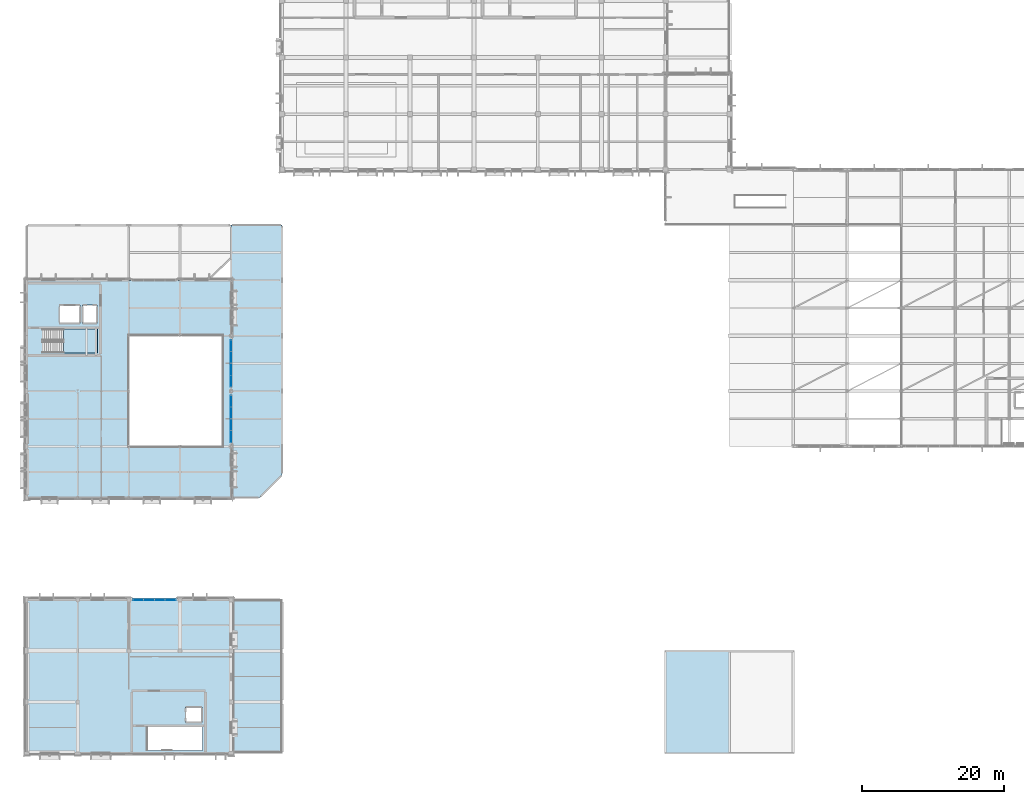
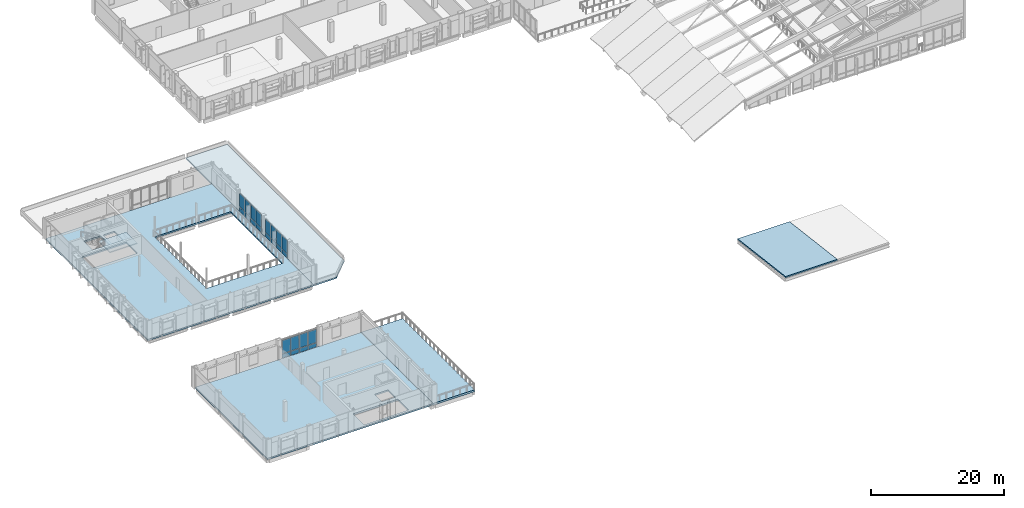
# One storey, part 36 of 73: 24 plates, 6 slabs, 6 elements without a shape of their own.
"""IFC4 building model written with IfcOpenShell, lengths in metres."""

from ifc_helpers import new_model, si_unit, direction, frame, origin, origin_2d, place, context, subcontext, project, spatial, polyline, rectangle, outline, extrude, material, layer, layer_set, type_object, element, aggregate, save


model = new_model("IFC4")

# Units and contexts
model_context = context("Model", 3, precision=1e-05, world=origin(), true_north=direction((0.0, 1.0)))
body_context = subcontext(model_context, "Body", "Model", "MODEL_VIEW")
ifc_project = project(units=[si_unit("LENGTHUNIT", "METRE"), si_unit("AREAUNIT", "SQUARE_METRE"), si_unit("VOLUMEUNIT", "CUBIC_METRE"), si_unit("PLANEANGLEUNIT", "RADIAN"), si_unit("MASSUNIT", "GRAM", prefix="KILO")], contexts=[model_context])

# Site, building, storey
site_placement = place(None, origin())
site = spatial("IfcSite", under=ifc_project, at=site_placement, CompositionType="ELEMENT")
building_placement = place(site_placement, origin())
building = spatial("IfcBuilding", under=site, at=building_placement, Name="Vervanel Yard Central Library", CompositionType="ELEMENT")
storey_placement = place(building_placement, frame((0.0, 0.0, 12.780029296875)))
storey = spatial("IfcBuildingStorey", under=building, at=storey_placement, Name="L03", CompositionType="ELEMENT", Elevation=12.780029296875)

# Slab
ifc_material_1 = material(Name="Concrete C40/50", Category="concrete")
ifc_layer_1 = layer(ifc_material_1, 0.22998046875, Category="concrete")
ifc_layer_set_1 = layer_set([ifc_layer_1], Name="Concrete C40/50")
slab_type_1 = type_object("IfcSlabType", Name="Core Overrun Roof Slab 230", PredefinedType="ROOF", material=ifc_layer_set_1)
slab_1_placement = place(storey_placement, frame((90.0, 0.0, 1.89990234375), z_axis=(0.0, 0.124038875731, 0.992277359062), x_axis=(1.0, 0.0, 0.0)))
element("IfcSlab", 1, at=slab_1_placement, inside=storey, type_object=slab_type_1, Name="L03 V5 Core Overrun Roof Slab 230 V5-CORE-SLOPE-1", PredefinedType="ROOF", context=body_context, shape_type="SweptSolid", body=[
    extrude(outline(polyline([(0.0, 0.0), (9.0, 0.0), (9.0, 14.511973101310893), (0.0, 14.511973101310893), (0.0, 0.0)])), origin(), (0.0, 0.0, -1.0), 0.22998046875),
])

# Stair, slab
stair_type = type_object("IfcStairType", Name="Protected Core Dog-Leg Stair ST-03", PredefinedType="HALF_TURN_STAIR", material=ifc_material_1)
stair_placement = place(storey_placement, origin())
stair = element("IfcStair", 2, at=stair_placement, inside=storey, type_object=stair_type, Name="L03 CORE-C Protected Exit Stair", PredefinedType="HALF_TURN_STAIR")
ifc_layer_2 = layer(ifc_material_1, 0.199951171875, Category="concrete")
ifc_layer_set_2 = layer_set([ifc_layer_2], Name="Concrete C40/50")
slab_type_2 = type_object("IfcSlabType", Name="Core Stair Concrete Landing Slab 200", PredefinedType="LANDING", material=ifc_layer_set_2)
slab_2_placement = place(storey_placement, frame((0.0, 0.0, 1.669921875)))
slab_2 = element("IfcSlab", 3, at=slab_2_placement, type_object=slab_type_2, Name="ST-03 landing 1", PredefinedType="LANDING", context=body_context, shape_type="SweptSolid", body=[
    extrude(outline(polyline([(5.199951171875, 56.39990234375), (10.0, 56.39990234375), (10.0, 59.719970703125), (5.199951171875, 59.719970703125), (5.199951171875, 56.39990234375)])), origin(), (0.0, 0.0, 1.0), 0.199951171875),
])
aggregate(stair, [slab_2])

# Curtain wall, plates
ifc_material_2 = material(Name="Thermally broken anodized aluminium 6063-T6", Category="aluminium")
curtain_wall_type_1 = type_object("IfcCurtainWallType", Name="Atrium Courtyard Curtain Wall", PredefinedType="NOTDEFINED", material=ifc_material_2)
curtain_wall_1_placement = place(storey_placement, origin())
curtain_wall_1 = element("IfcCurtainWall", 4, at=curtain_wall_1_placement, inside=storey, type_object=curtain_wall_type_1, Name="L03 Atrium Courtyard Curtain Wall CWR-L03-038", PredefinedType="NOTDEFINED")
ifc_material_3 = material(Name="Double low-E laminated solar-control glass", Category="glass")
ifc_layer_3 = layer(ifc_material_3, 0.030029296875, Category="glass")
ifc_layer_set_3 = layer_set([ifc_layer_3], Name="Double low-E laminated solar-control glass")
plate_type_1 = type_object("IfcPlateType", Name="Courtyard Clear Low-E Panel 30", PredefinedType="CURTAIN_PANEL", material=ifc_layer_set_3)
plate_1_placement = place(storey_placement, frame((28.800048828125, 44.611328125, 0.88232421875), z_axis=(0.0, 0.0, 1.0), x_axis=(0.0, 1.0, 0.0)))
plate_1 = element("IfcPlate", 5, at=plate_1_placement, type_object=plate_type_1, Name="CWR-L03-038 Panel B1-2", PredefinedType="CURTAIN_PANEL", context=body_context, shape_type="SweptSolid", body=[
    extrude(rectangle(XDim=1.572509765625, YDim=0.030029296875, at=origin_2d()), origin(), (0.0, 0.0, 1.0), 2.452392578125),
])
plate_2_placement = place(storey_placement, frame((28.800048828125, 46.248779296875, 0.88232421875), z_axis=(0.0, 0.0, 1.0), x_axis=(0.0, 1.0, 0.0)))
plate_2 = element("IfcPlate", 6, at=plate_2_placement, type_object=plate_type_1, Name="CWR-L03-038 Panel B2-2", PredefinedType="CURTAIN_PANEL", context=body_context, shape_type="SweptSolid", body=[
    extrude(rectangle(XDim=1.572509765625, YDim=0.030029296875, at=origin_2d()), origin(), (0.0, 0.0, 1.0), 2.452392578125),
])

curtain_wall_2_placement = place(storey_placement, origin())
curtain_wall_2 = element("IfcCurtainWall", 7, at=curtain_wall_2_placement, inside=storey, type_object=curtain_wall_type_1, Name="L03 Atrium Courtyard Curtain Wall CWR-L03-039", PredefinedType="NOTDEFINED")
plate_3_placement = place(storey_placement, frame((28.800048828125, 47.951171875, 0.88232421875), z_axis=(0.0, 0.0, 1.0), x_axis=(0.0, 1.0, 0.0)))
plate_3 = element("IfcPlate", 8, at=plate_3_placement, type_object=plate_type_1, Name="CWR-L03-039 Panel B1-2", PredefinedType="CURTAIN_PANEL", context=body_context, shape_type="SweptSolid", body=[
    extrude(rectangle(XDim=1.572509765625, YDim=0.030029296875, at=origin_2d()), origin(), (0.0, 0.0, 1.0), 2.452392578125),
])
plate_4_placement = place(storey_placement, frame((28.800048828125, 49.5888671875, 0.88232421875), z_axis=(0.0, 0.0, 1.0), x_axis=(0.0, 1.0, 0.0)))
plate_4 = element("IfcPlate", 9, at=plate_4_placement, type_object=plate_type_1, Name="CWR-L03-039 Panel B2-2", PredefinedType="CURTAIN_PANEL", context=body_context, shape_type="SweptSolid", body=[
    extrude(rectangle(XDim=1.572509765625, YDim=0.030029296875, at=origin_2d()), origin(), (0.0, 0.0, 1.0), 2.452392578125),
])

curtain_wall_3_placement = place(storey_placement, origin())
curtain_wall_3 = element("IfcCurtainWall", 10, at=curtain_wall_3_placement, inside=storey, type_object=curtain_wall_type_1, Name="L03 Atrium Courtyard Curtain Wall CWR-L03-040", PredefinedType="NOTDEFINED")
plate_5_placement = place(storey_placement, frame((28.800048828125, 52.4111328125, 0.88232421875), z_axis=(0.0, 0.0, 1.0), x_axis=(0.0, 1.0, 0.0)))
plate_5 = element("IfcPlate", 11, at=plate_5_placement, type_object=plate_type_1, Name="CWR-L03-040 Panel B1-2", PredefinedType="CURTAIN_PANEL", context=body_context, shape_type="SweptSolid", body=[
    extrude(rectangle(XDim=1.572509765625, YDim=0.030029296875, at=origin_2d()), origin(), (0.0, 0.0, 1.0), 2.452392578125),
])
plate_6_placement = place(storey_placement, frame((28.800048828125, 54.048828125, 0.88232421875), z_axis=(0.0, 0.0, 1.0), x_axis=(0.0, 1.0, 0.0)))
plate_6 = element("IfcPlate", 12, at=plate_6_placement, type_object=plate_type_1, Name="CWR-L03-040 Panel B2-2", PredefinedType="CURTAIN_PANEL", context=body_context, shape_type="SweptSolid", body=[
    extrude(rectangle(XDim=1.572509765625, YDim=0.030029296875, at=origin_2d()), origin(), (0.0, 0.0, 1.0), 2.452392578125),
])

curtain_wall_4_placement = place(storey_placement, origin())
curtain_wall_4 = element("IfcCurtainWall", 13, at=curtain_wall_4_placement, inside=storey, type_object=curtain_wall_type_1, Name="L03 Atrium Courtyard Curtain Wall CWR-L03-041", PredefinedType="NOTDEFINED")
plate_7_placement = place(storey_placement, frame((28.800048828125, 55.751220703125, 0.88232421875), z_axis=(0.0, 0.0, 1.0), x_axis=(0.0, 1.0, 0.0)))
plate_7 = element("IfcPlate", 14, at=plate_7_placement, type_object=plate_type_1, Name="CWR-L03-041 Panel B1-2", PredefinedType="CURTAIN_PANEL", context=body_context, shape_type="SweptSolid", body=[
    extrude(rectangle(XDim=1.572509765625, YDim=0.030029296875, at=origin_2d()), origin(), (0.0, 0.0, 1.0), 2.452392578125),
])
plate_8_placement = place(storey_placement, frame((28.800048828125, 57.388671875, 0.88232421875), z_axis=(0.0, 0.0, 1.0), x_axis=(0.0, 1.0, 0.0)))
plate_8 = element("IfcPlate", 15, at=plate_8_placement, type_object=plate_type_1, Name="CWR-L03-041 Panel B2-2", PredefinedType="CURTAIN_PANEL", context=body_context, shape_type="SweptSolid", body=[
    extrude(rectangle(XDim=1.572509765625, YDim=0.030029296875, at=origin_2d()), origin(), (0.0, 0.0, 1.0), 2.452392578125),
])

curtain_wall_type_2 = type_object("IfcCurtainWallType", Name="Boulevard Cafe & Bridge Curtain Wall", PredefinedType="NOTDEFINED", material=ifc_material_2)
curtain_wall_5_placement = place(storey_placement, origin())
curtain_wall_5 = element("IfcCurtainWall", 16, at=curtain_wall_5_placement, inside=storey, type_object=curtain_wall_type_2, Name="L03 Boulevard Cafe & Bridge Curtain Wall CWR-L03-200", PredefinedType="NOTDEFINED")
plate_9_placement = place(storey_placement, frame((15.742431640625, 21.60009765625, 0.8798828125), z_axis=(0.0, 0.0, 1.0), x_axis=(1.0, 0.0, 0.0)))
plate_9 = element("IfcPlate", 17, at=plate_9_placement, type_object=plate_type_1, Name="CWR-L03-200 Panel B1-2", PredefinedType="CURTAIN_PANEL", context=body_context, shape_type="SweptSolid", body=[
    extrude(rectangle(XDim=1.445068359375, YDim=0.030029296875, at=origin_2d()), origin(), (0.0, 0.0, 1.0), 2.4599609375),
])
plate_10_placement = place(storey_placement, frame((17.24755859375, 21.60009765625, 0.8798828125), z_axis=(0.0, 0.0, 1.0), x_axis=(1.0, 0.0, 0.0)))
plate_10 = element("IfcPlate", 18, at=plate_10_placement, type_object=plate_type_1, Name="CWR-L03-200 Panel B2-2", PredefinedType="CURTAIN_PANEL", context=body_context, shape_type="SweptSolid", body=[
    extrude(rectangle(XDim=1.445068359375, YDim=0.030029296875, at=origin_2d()), origin(), (0.0, 0.0, 1.0), 2.4599609375),
])
plate_11_placement = place(storey_placement, frame((18.75244140625, 21.60009765625, 0.8798828125), z_axis=(0.0, 0.0, 1.0), x_axis=(1.0, 0.0, 0.0)))
plate_11 = element("IfcPlate", 19, at=plate_11_placement, type_object=plate_type_1, Name="CWR-L03-200 Panel B3-2", PredefinedType="CURTAIN_PANEL", context=body_context, shape_type="SweptSolid", body=[
    extrude(rectangle(XDim=1.445068359375, YDim=0.030029296875, at=origin_2d()), origin(), (0.0, 0.0, 1.0), 2.4599609375),
])
plate_12_placement = place(storey_placement, frame((20.257568359375, 21.60009765625, 0.8798828125), z_axis=(0.0, 0.0, 1.0), x_axis=(1.0, 0.0, 0.0)))
plate_12 = element("IfcPlate", 20, at=plate_12_placement, type_object=plate_type_1, Name="CWR-L03-200 Panel B4-2", PredefinedType="CURTAIN_PANEL", context=body_context, shape_type="SweptSolid", body=[
    extrude(rectangle(XDim=1.445068359375, YDim=0.030029296875, at=origin_2d()), origin(), (0.0, 0.0, 1.0), 2.4599609375),
])

# Slab
ifc_layer_4 = layer(ifc_material_1, 0.25, Category="concrete")
ifc_layer_set_4 = layer_set([ifc_layer_4], Name="Concrete C40/50")
slab_type_3 = type_object("IfcSlabType", Name="Flat Concrete Roof Slab 250", PredefinedType="ROOF", material=ifc_layer_set_4)
slab_3_placement = place(storey_placement, frame((0.0, 0.0, -0.25)))
element("IfcSlab", 21, at=slab_3_placement, inside=storey, type_object=slab_type_3, Name="L03 V2 Flat Concrete Roof Slab 250", PredefinedType="ROOF", context=body_context, shape_type="SweptSolid", body=[
    extrude(outline(polyline([(28.800048828125, 36.0), (32.800048828125, 36.0), (36.0, 39.199951171875), (36.0, 74.39990234375), (28.800048828125, 74.39990234375), (28.800048828125, 36.0)])), origin(), (0.0, 0.0, 1.0), 0.25),
])

# Plate
ifc_material_4 = material(Name="Insulated bronze aluminium spandrel panel", Category="aluminium")
ifc_layer_5 = layer(ifc_material_4, 0.080078125, Category="aluminium")
ifc_layer_set_5 = layer_set([ifc_layer_5], Name="Insulated bronze aluminium spandrel panel")
plate_type_2 = type_object("IfcPlateType", Name="Insulated Bronze Spandrel Panel 80", PredefinedType="CURTAIN_PANEL", material=ifc_layer_set_5)
plate_13_placement = place(storey_placement, frame((28.800048828125, 44.611328125, 0.06494140625), z_axis=(0.0, 0.0, 1.0), x_axis=(0.0, 1.0, 0.0)))
plate_13 = element("IfcPlate", 22, at=plate_13_placement, type_object=plate_type_2, Name="CWR-L03-038 Panel B1-1", PredefinedType="CURTAIN_PANEL", context=body_context, shape_type="SweptSolid", body=[
    extrude(rectangle(XDim=1.572509765625, YDim=0.080078125, at=origin_2d()), origin(), (0.0, 0.0, 1.0), 0.75244140625),
])

plate_14_placement = place(storey_placement, frame((28.800048828125, 46.248779296875, 0.06494140625), z_axis=(0.0, 0.0, 1.0), x_axis=(0.0, 1.0, 0.0)))
plate_14 = element("IfcPlate", 23, at=plate_14_placement, type_object=plate_type_2, Name="CWR-L03-038 Panel B2-1", PredefinedType="CURTAIN_PANEL", context=body_context, shape_type="SweptSolid", body=[
    extrude(rectangle(XDim=1.572509765625, YDim=0.080078125, at=origin_2d()), origin(), (0.0, 0.0, 1.0), 0.75244140625),
])

aggregate(curtain_wall_1, [plate_13, plate_1, plate_14, plate_2])

plate_15_placement = place(storey_placement, frame((28.800048828125, 47.951171875, 0.06494140625), z_axis=(0.0, 0.0, 1.0), x_axis=(0.0, 1.0, 0.0)))
plate_15 = element("IfcPlate", 24, at=plate_15_placement, type_object=plate_type_2, Name="CWR-L03-039 Panel B1-1", PredefinedType="CURTAIN_PANEL", context=body_context, shape_type="SweptSolid", body=[
    extrude(rectangle(XDim=1.572509765625, YDim=0.080078125, at=origin_2d()), origin(), (0.0, 0.0, 1.0), 0.75244140625),
])

plate_16_placement = place(storey_placement, frame((28.800048828125, 49.5888671875, 0.06494140625), z_axis=(0.0, 0.0, 1.0), x_axis=(0.0, 1.0, 0.0)))
plate_16 = element("IfcPlate", 25, at=plate_16_placement, type_object=plate_type_2, Name="CWR-L03-039 Panel B2-1", PredefinedType="CURTAIN_PANEL", context=body_context, shape_type="SweptSolid", body=[
    extrude(rectangle(XDim=1.572509765625, YDim=0.080078125, at=origin_2d()), origin(), (0.0, 0.0, 1.0), 0.75244140625),
])

aggregate(curtain_wall_2, [plate_15, plate_3, plate_16, plate_4])

plate_17_placement = place(storey_placement, frame((28.800048828125, 52.4111328125, 0.06494140625), z_axis=(0.0, 0.0, 1.0), x_axis=(0.0, 1.0, 0.0)))
plate_17 = element("IfcPlate", 26, at=plate_17_placement, type_object=plate_type_2, Name="CWR-L03-040 Panel B1-1", PredefinedType="CURTAIN_PANEL", context=body_context, shape_type="SweptSolid", body=[
    extrude(rectangle(XDim=1.572509765625, YDim=0.080078125, at=origin_2d()), origin(), (0.0, 0.0, 1.0), 0.75244140625),
])

plate_18_placement = place(storey_placement, frame((28.800048828125, 54.048828125, 0.06494140625), z_axis=(0.0, 0.0, 1.0), x_axis=(0.0, 1.0, 0.0)))
plate_18 = element("IfcPlate", 27, at=plate_18_placement, type_object=plate_type_2, Name="CWR-L03-040 Panel B2-1", PredefinedType="CURTAIN_PANEL", context=body_context, shape_type="SweptSolid", body=[
    extrude(rectangle(XDim=1.572509765625, YDim=0.080078125, at=origin_2d()), origin(), (0.0, 0.0, 1.0), 0.75244140625),
])

aggregate(curtain_wall_3, [plate_17, plate_5, plate_18, plate_6])

plate_19_placement = place(storey_placement, frame((28.800048828125, 55.751220703125, 0.06494140625), z_axis=(0.0, 0.0, 1.0), x_axis=(0.0, 1.0, 0.0)))
plate_19 = element("IfcPlate", 28, at=plate_19_placement, type_object=plate_type_2, Name="CWR-L03-041 Panel B1-1", PredefinedType="CURTAIN_PANEL", context=body_context, shape_type="SweptSolid", body=[
    extrude(rectangle(XDim=1.572509765625, YDim=0.080078125, at=origin_2d()), origin(), (0.0, 0.0, 1.0), 0.75244140625),
])

plate_20_placement = place(storey_placement, frame((28.800048828125, 57.388671875, 0.06494140625), z_axis=(0.0, 0.0, 1.0), x_axis=(0.0, 1.0, 0.0)))
plate_20 = element("IfcPlate", 29, at=plate_20_placement, type_object=plate_type_2, Name="CWR-L03-041 Panel B2-1", PredefinedType="CURTAIN_PANEL", context=body_context, shape_type="SweptSolid", body=[
    extrude(rectangle(XDim=1.572509765625, YDim=0.080078125, at=origin_2d()), origin(), (0.0, 0.0, 1.0), 0.75244140625),
])

aggregate(curtain_wall_4, [plate_19, plate_7, plate_20, plate_8])

plate_21_placement = place(storey_placement, frame((15.742431640625, 21.60009765625, 0.06005859375), z_axis=(0.0, 0.0, 1.0), x_axis=(1.0, 0.0, 0.0)))
plate_21 = element("IfcPlate", 30, at=plate_21_placement, type_object=plate_type_2, Name="CWR-L03-200 Panel B1-1", PredefinedType="CURTAIN_PANEL", context=body_context, shape_type="SweptSolid", body=[
    extrude(rectangle(XDim=1.445068359375, YDim=0.080078125, at=origin_2d()), origin(), (0.0, 0.0, 1.0), 0.760009765625),
])

plate_22_placement = place(storey_placement, frame((17.24755859375, 21.60009765625, 0.06005859375), z_axis=(0.0, 0.0, 1.0), x_axis=(1.0, 0.0, 0.0)))
plate_22 = element("IfcPlate", 31, at=plate_22_placement, type_object=plate_type_2, Name="CWR-L03-200 Panel B2-1", PredefinedType="CURTAIN_PANEL", context=body_context, shape_type="SweptSolid", body=[
    extrude(rectangle(XDim=1.445068359375, YDim=0.080078125, at=origin_2d()), origin(), (0.0, 0.0, 1.0), 0.760009765625),
])

plate_23_placement = place(storey_placement, frame((18.75244140625, 21.60009765625, 0.06005859375), z_axis=(0.0, 0.0, 1.0), x_axis=(1.0, 0.0, 0.0)))
plate_23 = element("IfcPlate", 32, at=plate_23_placement, type_object=plate_type_2, Name="CWR-L03-200 Panel B3-1", PredefinedType="CURTAIN_PANEL", context=body_context, shape_type="SweptSolid", body=[
    extrude(rectangle(XDim=1.445068359375, YDim=0.080078125, at=origin_2d()), origin(), (0.0, 0.0, 1.0), 0.760009765625),
])

plate_24_placement = place(storey_placement, frame((20.257568359375, 21.60009765625, 0.06005859375), z_axis=(0.0, 0.0, 1.0), x_axis=(1.0, 0.0, 0.0)))
plate_24 = element("IfcPlate", 33, at=plate_24_placement, type_object=plate_type_2, Name="CWR-L03-200 Panel B4-1", PredefinedType="CURTAIN_PANEL", context=body_context, shape_type="SweptSolid", body=[
    extrude(rectangle(XDim=1.445068359375, YDim=0.080078125, at=origin_2d()), origin(), (0.0, 0.0, 1.0), 0.760009765625),
])

aggregate(curtain_wall_5, [plate_21, plate_9, plate_22, plate_10, plate_23, plate_11, plate_24, plate_12])

# Slabs
ifc_layer_6 = layer(ifc_material_1, 0.340087890625, Category="concrete")
ifc_layer_set_6 = layer_set([ifc_layer_6], Name="Concrete C40/50")
slab_type_4 = type_object("IfcSlabType", Name="Planted Roof Garden Terrace Slab 340", PredefinedType="FLOOR", material=ifc_layer_set_6)
slab_4_placement = place(storey_placement, frame((0.0, 0.0, -0.340087890625)))
element("IfcSlab", 34, at=slab_4_placement, inside=storey, type_object=slab_type_4, Name="L03 Boulevard Reading Roof Garden Terrace", PredefinedType="FLOOR", context=body_context, shape_type="SweptSolid", body=[
    extrude(outline(polyline([(28.800048828125, 0.0), (36.0, 0.0), (36.0, 21.60009765625), (28.800048828125, 21.60009765625), (28.800048828125, 0.0)])), origin(), (0.0, 0.0, 1.0), 0.340087890625),
])
ifc_layer_7 = layer(ifc_material_1, 0.280029296875, Category="concrete")
ifc_layer_set_7 = layer_set([ifc_layer_7], Name="Concrete C40/50")
slab_type_5 = type_object("IfcSlabType", Name="Reading Wing Floor Slab 280", PredefinedType="FLOOR", material=ifc_layer_set_7)
slab_5_placement = place(storey_placement, frame((0.0, 0.0, -0.280029296875)))
element("IfcSlab", 35, at=slab_5_placement, inside=storey, type_object=slab_type_5, Name="L03 V2 Reading Wing Floor Slab 280", PredefinedType="FLOOR", context=body_context, shape_type="SweptSolid", body=[
    extrude(outline(polyline([(0.0, 36.0), (28.800048828125, 36.0), (28.800048828125, 66.60009765625), (0.0, 66.60009765625), (0.0, 36.0)]), holes=[polyline([(14.39990234375, 43.199951171875), (27.60009765625, 43.199951171875), (27.60009765625, 58.800048828125), (14.39990234375, 58.800048828125), (14.39990234375, 43.199951171875)]), polyline([(2.235107421875, 56.39990234375), (10.0, 56.39990234375), (10.0, 59.719970703125), (2.235107421875, 59.719970703125), (2.235107421875, 56.39990234375)]), polyline([(4.60009765625, 60.5), (7.5, 60.5), (7.5, 63.10009765625), (4.60009765625, 63.10009765625), (4.60009765625, 60.5)]), polyline([(7.89990234375, 60.5), (9.89990234375, 60.5), (9.89990234375, 63.10009765625), (7.89990234375, 63.10009765625), (7.89990234375, 60.5)])]), origin(), (0.0, 0.0, 1.0), 0.280029296875),
])
slab_6_placement = place(storey_placement, frame((0.0, 0.0, -0.280029296875)))
element("IfcSlab", 36, at=slab_6_placement, inside=storey, type_object=slab_type_5, Name="L03 V6 Reading Wing Floor Slab 280", PredefinedType="FLOOR", context=body_context, shape_type="SweptSolid", body=[
    extrude(outline(polyline([(0.0, 0.0), (28.800048828125, 0.0), (28.800048828125, 21.60009765625), (0.0, 21.60009765625), (0.0, 0.0)]), holes=[polyline([(17.034912109375, 0.39990234375), (24.800048828125, 0.39990234375), (24.800048828125, 3.659912109375), (17.034912109375, 3.659912109375), (17.034912109375, 0.39990234375)]), polyline([(22.39990234375, 4.300048828125), (24.699951171875, 4.300048828125), (24.699951171875, 6.5), (22.39990234375, 6.5), (22.39990234375, 4.300048828125)])]), origin(), (0.0, 0.0, 1.0), 0.280029296875),
])

save(model, "model.ifc")
